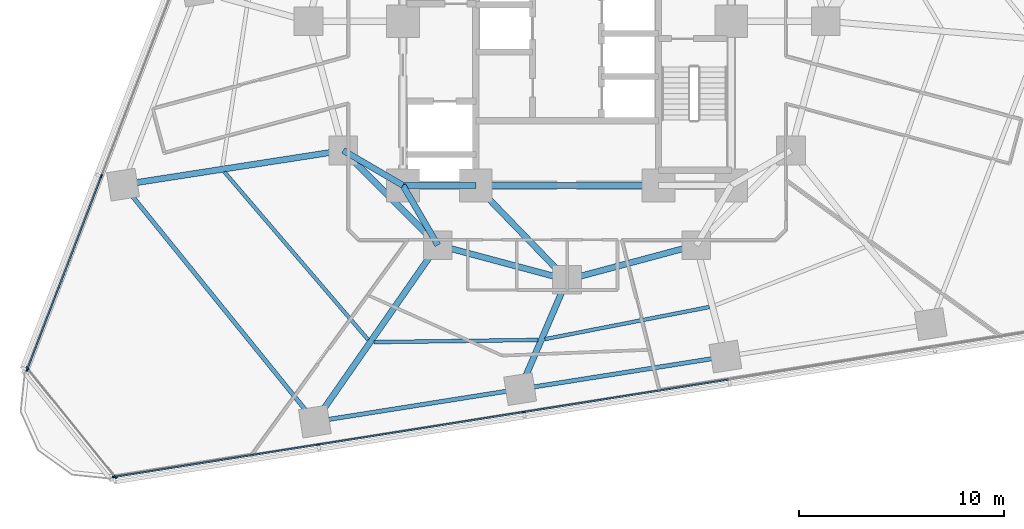
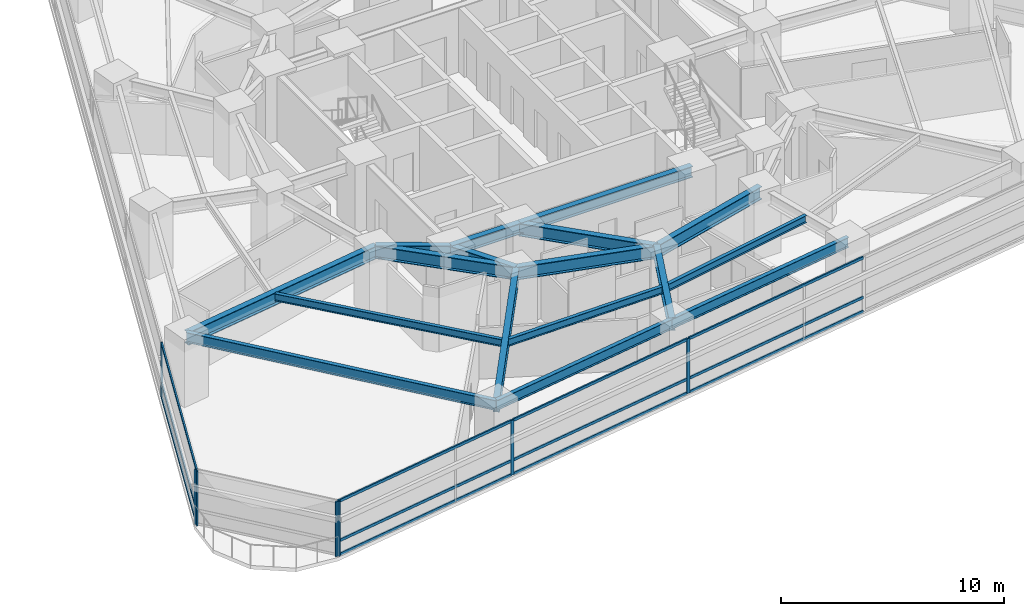
# One storey, part 2 of 13: 19 members, 17 beams, 3 elements without a shape of their own.
"""IFC4 building model written with IfcOpenShell, lengths in metres."""

from ifc_helpers import new_model, si_unit, direction, frame, origin, origin_2d, place, context, subcontext, project, spatial, rectangle, i_section, extrude, material, layer, layer_set, material_profile, profile_set, type_object, element, aggregate, save


model = new_model("IFC4")

# Units and contexts
model_context = context("Model", 3, precision=1e-05, world=origin(), true_north=direction((0.0, 1.0)))
body_context = subcontext(model_context, "Body", "Model", "MODEL_VIEW")
ifc_project = project(units=[si_unit("LENGTHUNIT", "METRE"), si_unit("AREAUNIT", "SQUARE_METRE"), si_unit("VOLUMEUNIT", "CUBIC_METRE"), si_unit("PLANEANGLEUNIT", "RADIAN"), si_unit("MASSUNIT", "GRAM", prefix="KILO")], contexts=[model_context])

# Site, building, storey
site_placement = place(None, origin())
site = spatial("IfcSite", under=ifc_project, at=site_placement, CompositionType="ELEMENT")
building_placement = place(site_placement, origin())
building = spatial("IfcBuilding", under=site, at=building_placement, Name="Terralouvre Media Tower", CompositionType="ELEMENT")
storey_placement = place(building_placement, frame((0.0, 0.0, 59.300048828125)))
storey = spatial("IfcBuildingStorey", under=building, at=storey_placement, Name="L14", CompositionType="ELEMENT", Elevation=59.300048828125)

# Beams
ifc_material_1 = material(Name="Structural steel S355J2", Category="steel")
ifc_material_profile_1 = material_profile(ifc_material_1, i_section(OverallWidth=0.179931640625, OverallDepth=0.39990234375, WebThickness=0.008544921875, FlangeThickness=0.013427734375, at=origin_2d()), Name="IPE 400")
ifc_profile_set_1 = profile_set([ifc_material_profile_1], Name="Structural steel S355J2")
beam_type_1 = type_object("IfcBeamType", Name="Composite Floor Joist J-IPE400 (IPE 400)", PredefinedType="JOIST", material=ifc_profile_set_1)
beam_1_placement = place(storey_placement, frame((-16.69921875, -7.3486328125, 3.300048828125), z_axis=(0.650576599138, -0.759440641955, 0.0), x_axis=(0.759440641955, 0.650576599138, 0.0)))
element("IfcBeam", 1, at=beam_1_placement, inside=storey, type_object=beam_type_1, Name="L14 Framing Beam JT-L14-01", PredefinedType="JOIST", context=body_context, shape_type="SweptSolid", body=[
    extrude(i_section(OverallWidth=0.179931640625, OverallDepth=0.39990234375, WebThickness=0.008544921875, FlangeThickness=0.013427734375, at=origin_2d()), origin(), (0.0, 0.0, 1.0), 10.766845703125),
])
beam_2_placement = place(storey_placement, frame((-9.41259765625, -15.63916015625, 3.300048828125), z_axis=(0.999910093881, 0.013409107136, 0.0), x_axis=(-0.013409107136, 0.999910093881, 0.0)))
element("IfcBeam", 2, at=beam_2_placement, inside=storey, type_object=beam_type_1, Name="L14 Framing Beam JT-L14-02", PredefinedType="JOIST", context=body_context, shape_type="SweptSolid", body=[
    extrude(i_section(OverallWidth=0.179931640625, OverallDepth=0.39990234375, WebThickness=0.008544921875, FlangeThickness=0.013427734375, at=origin_2d()), origin(), (0.0, 0.0, 1.0), 7.992919921875),
])
beam_3_placement = place(storey_placement, frame((-1.08203125, -15.495361328125, 3.300048828125), z_axis=(0.981397676367, 0.191985939127, 0.0), x_axis=(-0.191985939127, 0.981397676367, 0.0)))
element("IfcBeam", 3, at=beam_3_placement, inside=storey, type_object=beam_type_1, Name="L14 Framing Beam JT-L14-03", PredefinedType="JOIST", context=body_context, shape_type="SweptSolid", body=[
    extrude(i_section(OverallWidth=0.179931640625, OverallDepth=0.39990234375, WebThickness=0.008544921875, FlangeThickness=0.013427734375, at=origin_2d()), origin(), (0.0, 0.0, 1.0), 8.165283203125),
])

# Curtain wall, members
ifc_material_2 = material(Name="Low-iron laminated double glazing with solar-control coating", Category="glass")
ifc_layer_1 = layer(ifc_material_2, 0.1650390625, Name="Lower Media Tower Unitised Curtain Wall CW-02")
ifc_layer_set_1 = layer_set([ifc_layer_1], Name="Low-iron laminated double glazing with solar-control coating")
curtain_wall_type_1 = type_object("IfcCurtainWallType", Name="Lower Media Tower Unitised Curtain Wall CW-02", PredefinedType="NOTDEFINED", material=ifc_layer_set_1)
curtain_wall_1_placement = place(storey_placement, origin())
curtain_wall_1 = element("IfcCurtainWall", 4, at=curtain_wall_1_placement, inside=storey, type_object=curtain_wall_type_1, Name="L14 Facade Curtain Wall F0", PredefinedType="NOTDEFINED")
ifc_material_3 = material(Name="Anodised extruded aluminium 6063-T6", Category="aluminium")
ifc_material_profile_2 = material_profile(ifc_material_3, rectangle(XDim=0.074951171875, YDim=0.14990234375, at=origin_2d()), Name="ALU 75x150")
ifc_profile_set_2 = profile_set([ifc_material_profile_2], Name="Anodised extruded aluminium 6063-T6")
member_type_1 = type_object("IfcMemberType", Name="Curtain-Wall Horizontal Transom TR-150", PredefinedType="USERDEFINED", material=ifc_profile_set_2)
member_1_placement = place(storey_placement, frame((-22.04345703125, -22.2001953125, 0.037353515625), z_axis=(0.987689925264, 0.15642445951, 0.0), x_axis=(-0.15642445951, 0.987689925264, 0.0)))
member_1 = element("IfcMember", 5, at=member_1_placement, type_object=member_type_1, Name="CW-02 transom 1.1", ObjectType="TRANSOM", PredefinedType="USERDEFINED", context=body_context, shape_type="SweptSolid", body=[
    extrude(rectangle(XDim=0.074951171875, YDim=0.14990234375, at=origin_2d()), origin(), (0.0, 0.0, 1.0), 10.015380859375),
])
member_2_placement = place(storey_placement, frame((-22.04345703125, -22.2001953125, 0.800048828125), z_axis=(0.987689925264, 0.15642445951, 0.0), x_axis=(-0.15642445951, 0.987689925264, 0.0)))
member_2 = element("IfcMember", 6, at=member_2_placement, type_object=member_type_1, Name="CW-02 transom 1.2", ObjectType="TRANSOM", PredefinedType="USERDEFINED", context=body_context, shape_type="SweptSolid", body=[
    extrude(rectangle(XDim=0.074951171875, YDim=0.14990234375, at=origin_2d()), origin(), (0.0, 0.0, 1.0), 10.015380859375),
])
member_3_placement = place(storey_placement, frame((-22.04345703125, -22.2001953125, 2.96240234375), z_axis=(0.987689925264, 0.15642445951, 0.0), x_axis=(-0.15642445951, 0.987689925264, 0.0)))
member_3 = element("IfcMember", 7, at=member_3_placement, type_object=member_type_1, Name="CW-02 transom 1.3", ObjectType="TRANSOM", PredefinedType="USERDEFINED", context=body_context, shape_type="SweptSolid", body=[
    extrude(rectangle(XDim=0.074951171875, YDim=0.14990234375, at=origin_2d()), origin(), (0.0, 0.0, 1.0), 10.015380859375),
])
member_4_placement = place(storey_placement, frame((-12.0771484375, -20.62158203125, 0.037353515625), z_axis=(0.987690198625, 0.156422733448, 0.0), x_axis=(-0.156422733448, 0.987690198625, 0.0)))
member_4 = element("IfcMember", 8, at=member_4_placement, type_object=member_type_1, Name="CW-02 transom 2.1", ObjectType="TRANSOM", PredefinedType="USERDEFINED", context=body_context, shape_type="SweptSolid", body=[
    extrude(rectangle(XDim=0.074951171875, YDim=0.14990234375, at=origin_2d()), origin(), (0.0, 0.0, 1.0), 10.052978515625),
])
member_5_placement = place(storey_placement, frame((-12.0771484375, -20.62158203125, 0.800048828125), z_axis=(0.987690198625, 0.156422733448, 0.0), x_axis=(-0.156422733448, 0.987690198625, 0.0)))
member_5 = element("IfcMember", 9, at=member_5_placement, type_object=member_type_1, Name="CW-02 transom 2.2", ObjectType="TRANSOM", PredefinedType="USERDEFINED", context=body_context, shape_type="SweptSolid", body=[
    extrude(rectangle(XDim=0.074951171875, YDim=0.14990234375, at=origin_2d()), origin(), (0.0, 0.0, 1.0), 10.052978515625),
])
member_6_placement = place(storey_placement, frame((-12.0771484375, -20.62158203125, 2.96240234375), z_axis=(0.987690198625, 0.156422733448, 0.0), x_axis=(-0.156422733448, 0.987690198625, 0.0)))
member_6 = element("IfcMember", 10, at=member_6_placement, type_object=member_type_1, Name="CW-02 transom 2.3", ObjectType="TRANSOM", PredefinedType="USERDEFINED", context=body_context, shape_type="SweptSolid", body=[
    extrude(rectangle(XDim=0.074951171875, YDim=0.14990234375, at=origin_2d()), origin(), (0.0, 0.0, 1.0), 10.052978515625),
])
member_7_placement = place(storey_placement, frame((-2.073974609375, -19.037353515625, 0.037353515625), z_axis=(0.987686446318, 0.156446424568, 0.0), x_axis=(-0.156446424568, 0.987686446318, 0.0)))
member_7 = element("IfcMember", 11, at=member_7_placement, type_object=member_type_1, Name="CW-02 transom 3.1", ObjectType="TRANSOM", PredefinedType="USERDEFINED", context=body_context, shape_type="SweptSolid", body=[
    extrude(rectangle(XDim=0.074951171875, YDim=0.14990234375, at=origin_2d()), origin(), (0.0, 0.0, 1.0), 10.052978515625),
])
member_8_placement = place(storey_placement, frame((-2.073974609375, -19.037353515625, 0.800048828125), z_axis=(0.987686446318, 0.156446424568, 0.0), x_axis=(-0.156446424568, 0.987686446318, 0.0)))
member_8 = element("IfcMember", 12, at=member_8_placement, type_object=member_type_1, Name="CW-02 transom 3.2", ObjectType="TRANSOM", PredefinedType="USERDEFINED", context=body_context, shape_type="SweptSolid", body=[
    extrude(rectangle(XDim=0.074951171875, YDim=0.14990234375, at=origin_2d()), origin(), (0.0, 0.0, 1.0), 10.052978515625),
])
member_9_placement = place(storey_placement, frame((-2.073974609375, -19.037353515625, 2.96240234375), z_axis=(0.987686446318, 0.156446424568, 0.0), x_axis=(-0.156446424568, 0.987686446318, 0.0)))
member_9 = element("IfcMember", 13, at=member_9_placement, type_object=member_type_1, Name="CW-02 transom 3.3", ObjectType="TRANSOM", PredefinedType="USERDEFINED", context=body_context, shape_type="SweptSolid", body=[
    extrude(rectangle(XDim=0.074951171875, YDim=0.14990234375, at=origin_2d()), origin(), (0.0, 0.0, 1.0), 10.052978515625),
])

curtain_wall_2_placement = place(storey_placement, origin())
curtain_wall_2 = element("IfcCurtainWall", 14, at=curtain_wall_2_placement, inside=storey, type_object=curtain_wall_type_1, Name="L14 Facade Curtain Wall F2", PredefinedType="NOTDEFINED")
member_10_placement = place(storey_placement, frame((-22.708984375, -7.595947265625, 0.037353515625), z_axis=(-0.358363173116, -0.933582259983, 0.0), x_axis=(0.933582259983, -0.358363173116, 0.0)))
member_10 = element("IfcMember", 15, at=member_10_placement, type_object=member_type_1, Name="CW-02 transom 5.1", ObjectType="TRANSOM", PredefinedType="USERDEFINED", context=body_context, shape_type="SweptSolid", body=[
    extrude(rectangle(XDim=0.074951171875, YDim=0.14990234375, at=origin_2d()), origin(), (0.0, 0.0, 1.0), 10.015380859375),
])
member_11_placement = place(storey_placement, frame((-22.708984375, -7.595947265625, 0.800048828125), z_axis=(-0.358363173116, -0.933582259983, 0.0), x_axis=(0.933582259983, -0.358363173116, 0.0)))
member_11 = element("IfcMember", 16, at=member_11_placement, type_object=member_type_1, Name="CW-02 transom 5.2", ObjectType="TRANSOM", PredefinedType="USERDEFINED", context=body_context, shape_type="SweptSolid", body=[
    extrude(rectangle(XDim=0.074951171875, YDim=0.14990234375, at=origin_2d()), origin(), (0.0, 0.0, 1.0), 10.015380859375),
])
member_12_placement = place(storey_placement, frame((-22.708984375, -7.595947265625, 2.96240234375), z_axis=(-0.358363173116, -0.933582259983, 0.0), x_axis=(0.933582259983, -0.358363173116, 0.0)))
member_12 = element("IfcMember", 17, at=member_12_placement, type_object=member_type_1, Name="CW-02 transom 5.3", ObjectType="TRANSOM", PredefinedType="USERDEFINED", context=body_context, shape_type="SweptSolid", body=[
    extrude(rectangle(XDim=0.074951171875, YDim=0.14990234375, at=origin_2d()), origin(), (0.0, 0.0, 1.0), 10.015380859375),
])

# Member
ifc_material_4 = material(Name="Anodised extruded aluminium 6063-T6", Category="aluminium")
ifc_material_profile_3 = material_profile(ifc_material_4, rectangle(XDim=0.074951171875, YDim=0.179931640625, at=origin_2d()), Name="ALU 75x180")
ifc_profile_set_3 = profile_set([ifc_material_profile_3], Name="Anodised extruded aluminium 6063-T6")
member_type_2 = type_object("IfcMemberType", Name="Curtain-Wall Vertical Mullion ML-180", PredefinedType="MULLION", material=ifc_profile_set_3)
member_13_placement = place(storey_placement, frame((-22.08056640625, -22.2060546875, 0.0), z_axis=(0.0, 0.0, 1.0), x_axis=(-0.156434462903, 0.987688340934, 0.0)))
member_13 = element("IfcMember", 18, at=member_13_placement, type_object=member_type_2, Name="CW-02 mullion 1", PredefinedType="MULLION", context=body_context, shape_type="SweptSolid", body=[
    extrude(rectangle(XDim=0.074951171875, YDim=0.179931640625, at=origin_2d()), origin(), (0.0, 0.0, 1.0), 3.0),
])

member_14_placement = place(storey_placement, frame((-12.1142578125, -20.62744140625, 0.0), z_axis=(0.0, 0.0, 1.0), x_axis=(-0.156434462903, 0.987688340934, 0.0)))
member_14 = element("IfcMember", 19, at=member_14_placement, type_object=member_type_2, Name="CW-02 mullion 2", PredefinedType="MULLION", context=body_context, shape_type="SweptSolid", body=[
    extrude(rectangle(XDim=0.074951171875, YDim=0.179931640625, at=origin_2d()), origin(), (0.0, 0.0, 1.0), 3.0),
])

member_15_placement = place(storey_placement, frame((-2.111083984375, -19.043212890625, 0.0), z_axis=(0.0, 0.0, 1.0), x_axis=(-0.156434462903, 0.987688340934, 0.0)))
member_15 = element("IfcMember", 20, at=member_15_placement, type_object=member_type_2, Name="CW-02 mullion 3", PredefinedType="MULLION", context=body_context, shape_type="SweptSolid", body=[
    extrude(rectangle(XDim=0.074951171875, YDim=0.179931640625, at=origin_2d()), origin(), (0.0, 0.0, 1.0), 3.0),
])

aggregate(curtain_wall_1, [member_13, member_14, member_15, member_1, member_2, member_3, member_4, member_5, member_6, member_7, member_8, member_9])

member_16_placement = place(storey_placement, frame((-22.695556640625, -7.560791015625, 0.0), z_axis=(0.0, 0.0, 1.0), x_axis=(0.933580438988, -0.358367917006, 0.0)))
member_16 = element("IfcMember", 21, at=member_16_placement, type_object=member_type_2, Name="CW-02 mullion 5", PredefinedType="MULLION", context=body_context, shape_type="SweptSolid", body=[
    extrude(rectangle(XDim=0.074951171875, YDim=0.179931640625, at=origin_2d()), origin(), (0.0, 0.0, 1.0), 3.0),
])

member_17_placement = place(storey_placement, frame((-26.3115234375, -16.981201171875, 0.0), z_axis=(0.0, 0.0, 1.0), x_axis=(0.933580438988, -0.358367917006, 0.0)))
member_17 = element("IfcMember", 22, at=member_17_placement, type_object=member_type_2, Name="CW-02 mullion 6", PredefinedType="MULLION", context=body_context, shape_type="SweptSolid", body=[
    extrude(rectangle(XDim=0.074951171875, YDim=0.179931640625, at=origin_2d()), origin(), (0.0, 0.0, 1.0), 3.0),
])

aggregate(curtain_wall_2, [member_16, member_17, member_10, member_11, member_12])

# Curtain wall, members
ifc_material_5 = material(Name="Low-iron laminated double glazing with solar-control coating", Category="glass")
ifc_layer_2 = layer(ifc_material_5, 0.1650390625, Name="Rounded Wind-Corner Curved Glazing CW-04")
ifc_layer_set_2 = layer_set([ifc_layer_2], Name="Low-iron laminated double glazing with solar-control coating")
curtain_wall_type_2 = type_object("IfcCurtainWallType", Name="Rounded Wind-Corner Curved Glazing CW-04", PredefinedType="NOTDEFINED", material=ifc_layer_set_2)
curtain_wall_3_placement = place(storey_placement, origin())
curtain_wall_3 = element("IfcCurtainWall", 23, at=curtain_wall_3_placement, inside=storey, type_object=curtain_wall_type_2, Name="L14 Rounded Wind-Corner Curtain Wall C0", PredefinedType="NOTDEFINED")
member_18_placement = place(storey_placement, frame((-26.3046875, -16.9140625, 0.0), z_axis=(0.0, 0.0, 1.0), x_axis=(0.777146252262, 0.629320031936, 0.0)))
member_18 = element("IfcMember", 24, at=member_18_placement, type_object=member_type_2, Name="CW-04 mullion 1", PredefinedType="MULLION", context=body_context, shape_type="SweptSolid", body=[
    extrude(rectangle(XDim=0.074951171875, YDim=0.179931640625, at=origin_2d()), origin(), (0.0, 0.0, 1.0), 3.0),
])
member_19_placement = place(storey_placement, frame((-22.013671875, -22.213134765625, 0.0), z_axis=(0.0, 0.0, 1.0), x_axis=(0.777146252262, 0.629320031936, 0.0)))
member_19 = element("IfcMember", 25, at=member_19_placement, type_object=member_type_2, Name="CW-04 mullion 2", PredefinedType="MULLION", context=body_context, shape_type="SweptSolid", body=[
    extrude(rectangle(XDim=0.074951171875, YDim=0.179931640625, at=origin_2d()), origin(), (0.0, 0.0, 1.0), 3.0),
])
aggregate(curtain_wall_3, [member_18, member_19])

# Beams
ifc_material_6 = material(Name="Structural steel S355J2", Category="steel")
ifc_material_profile_4 = material_profile(ifc_material_6, i_section(OverallWidth=0.2099609375, OverallDepth=0.550048828125, WebThickness=0.010986328125, FlangeThickness=0.01708984375, at=origin_2d()), Name="IPE 550")
ifc_profile_set_4 = profile_set([ifc_material_profile_4], Name="Structural steel S355J2")
beam_type_2 = type_object("IfcBeamType", Name="Perimeter Spandrel Beam SPB-550 (IPE 550)", PredefinedType="SPANDREL", material=ifc_profile_set_4)
beam_4_placement = place(storey_placement, frame((-21.640625, -7.9658203125, 3.224853515625), z_axis=(0.629325386112, -0.777141916509, 0.0), x_axis=(0.777141916509, 0.629325386112, 0.0)))
element("IfcBeam", 26, at=beam_4_placement, inside=storey, type_object=beam_type_2, Name="L14 Framing Beam BM-L14-PR01", PredefinedType="SPANDREL", context=body_context, shape_type="SweptSolid", body=[
    extrude(i_section(OverallWidth=0.2099609375, OverallDepth=0.550048828125, WebThickness=0.010986328125, FlangeThickness=0.01708984375, at=origin_2d()), origin(), (0.0, 0.0, 1.0), 14.8564453125),
])
beam_5_placement = place(storey_placement, frame((-12.291015625, -19.511474609375, 3.224853515625), z_axis=(0.987686424887, 0.156446559869, 0.0), x_axis=(-0.156446559869, 0.987686424887, 0.0)))
element("IfcBeam", 27, at=beam_5_placement, inside=storey, type_object=beam_type_2, Name="L14 Framing Beam BM-L14-PR02", PredefinedType="SPANDREL", context=body_context, shape_type="SweptSolid", body=[
    extrude(i_section(OverallWidth=0.2099609375, OverallDepth=0.550048828125, WebThickness=0.010986328125, FlangeThickness=0.01708984375, at=origin_2d()), origin(), (0.0, 0.0, 1.0), 10.1279296875),
])
beam_6_placement = place(storey_placement, frame((-2.287841796875, -17.927001953125, 3.224853515625), z_axis=(0.987690739256, 0.15641931974, 0.0), x_axis=(-0.15641931974, 0.987690739256, 0.0)))
element("IfcBeam", 28, at=beam_6_placement, inside=storey, type_object=beam_type_2, Name="L14 Framing Beam BM-L14-PR03", PredefinedType="SPANDREL", context=body_context, shape_type="SweptSolid", body=[
    extrude(i_section(OverallWidth=0.2099609375, OverallDepth=0.550048828125, WebThickness=0.010986328125, FlangeThickness=0.01708984375, at=origin_2d()), origin(), (0.0, 0.0, 1.0), 10.128173828125),
])
ifc_material_7 = material(Name="Structural steel S460M", Category="steel")
ifc_material_profile_5 = material_profile(ifc_material_7, i_section(OverallWidth=0.300048828125, OverallDepth=0.60009765625, WebThickness=0.015380859375, FlangeThickness=0.030029296875, at=origin_2d()), Name="HEB 600")
ifc_profile_set_5 = profile_set([ifc_material_profile_5], Name="Structural steel S460M")
beam_type_3 = type_object("IfcBeamType", Name="Primary Floor Girder B-HEB600 (HEB 600)", PredefinedType="BEAM", material=ifc_profile_set_5)
beam_7_placement = place(storey_placement, frame((-8.0, -8.0, 3.199951171875), z_axis=(1.0, 0.0, 0.0), x_axis=(0.0, 1.0, 0.0)))
element("IfcBeam", 29, at=beam_7_placement, inside=storey, type_object=beam_type_3, Name="L14 Framing Beam BM-L14-CPR01", PredefinedType="BEAM", context=body_context, shape_type="SweptSolid", body=[
    extrude(i_section(OverallWidth=0.300048828125, OverallDepth=0.60009765625, WebThickness=0.015380859375, FlangeThickness=0.030029296875, at=origin_2d()), origin(), (0.0, 0.0, 1.0), 3.550048828125),
])
beam_8_placement = place(storey_placement, frame((-4.449951171875, -8.0, 3.199951171875), z_axis=(1.0, 0.0, 0.0), x_axis=(0.0, 1.0, 0.0)))
element("IfcBeam", 30, at=beam_8_placement, inside=storey, type_object=beam_type_3, Name="L14 Framing Beam BM-L14-CPR02", PredefinedType="BEAM", context=body_context, shape_type="SweptSolid", body=[
    extrude(i_section(OverallWidth=0.300048828125, OverallDepth=0.60009765625, WebThickness=0.015380859375, FlangeThickness=0.030029296875, at=origin_2d()), origin(), (0.0, 0.0, 1.0), 8.89990234375),
])
ifc_material_8 = material(Name="Structural steel S460M", Category="steel")
ifc_material_profile_6 = material_profile(ifc_material_8, i_section(OverallWidth=0.300048828125, OverallDepth=0.699951171875, WebThickness=0.01708984375, FlangeThickness=0.031982421875, at=origin_2d()), Name="HEB 700")
ifc_profile_set_6 = profile_set([ifc_material_profile_6], Name="Structural steel S460M")
beam_type_4 = type_object("IfcBeamType", Name="Primary Floor Girder B-HEB700 (HEB 700)", PredefinedType="BEAM", material=ifc_profile_set_6)
beam_9_placement = place(storey_placement, frame((-10.911865234375, -6.300048828125, 3.14990234375), z_axis=(0.707106781187, -0.707106781187, 0.0), x_axis=(0.707106781187, 0.707106781187, 0.0)))
element("IfcBeam", 31, at=beam_9_placement, inside=storey, type_object=beam_type_4, Name="L14 Framing Beam BM-L14-MR01", PredefinedType="BEAM", context=body_context, shape_type="SweptSolid", body=[
    extrude(i_section(OverallWidth=0.300048828125, OverallDepth=0.699951171875, WebThickness=0.01708984375, FlangeThickness=0.031982421875, at=origin_2d()), origin(), (0.0, 0.0, 1.0), 6.52197265625),
])
for number, where, z_axis, x_axis, name in (
    (32, (-6.300048828125, -10.911865234375, 3.14990234375), (0.965920481897, -0.258838989821, 0.0), (0.258838989821, 0.965920481897, 0.0), "L14 Framing Beam BM-L14-MR02"),
    (33, (0.0, -12.60009765625, 3.14990234375), (0.965920481897, 0.258838989821, 0.0), (-0.258838989821, 0.965920481897, 0.0), "L14 Framing Beam BM-L14-MR03"),
):
    element("IfcBeam", number, at=place(storey_placement, frame(where, z_axis=z_axis, x_axis=x_axis)), inside=storey, type_object=beam_type_4, Name=name, PredefinedType="BEAM", context=body_context, shape_type="SweptSolid", body=[
        extrude(i_section(OverallWidth=0.300048828125, OverallDepth=0.699951171875, WebThickness=0.01708984375, FlangeThickness=0.031982421875, at=origin_2d()), origin(), (0.0, 0.0, 1.0), 6.522216796875),
    ])
for number, where, z_axis, x_axis, name in (
    (34, (-8.0, -8.0, 3.14990234375), (-0.863602894532, 0.504172629717, 0.0), (-0.504172629717, -0.863602894532, 0.0), "L14 Framing Beam BM-L14-CM01"),
    (35, (-8.0, -8.0, 3.14990234375), (0.504172629717, -0.863602894532, 0.0), (0.863602894532, 0.504172629717, 0.0), "L14 Framing Beam BM-L14-CM02"),
):
    element("IfcBeam", number, at=place(storey_placement, frame(where, z_axis=z_axis, x_axis=x_axis)), inside=storey, type_object=beam_type_4, Name=name, PredefinedType="BEAM", context=body_context, shape_type="SweptSolid", body=[
        extrude(i_section(OverallWidth=0.300048828125, OverallDepth=0.699951171875, WebThickness=0.01708984375, FlangeThickness=0.031982421875, at=origin_2d()), origin(), (0.0, 0.0, 1.0), 3.371826171875),
    ])
beam_10_placement = place(storey_placement, frame((-4.449951171875, -8.0, 3.14990234375), z_axis=(0.695279715726, -0.718739255155, 0.0), x_axis=(0.718739255155, 0.695279715726, 0.0)))
element("IfcBeam", 36, at=beam_10_placement, inside=storey, type_object=beam_type_4, Name="L14 Framing Beam BM-L14-CM03", PredefinedType="BEAM", context=body_context, shape_type="SweptSolid", body=[
    extrude(i_section(OverallWidth=0.300048828125, OverallDepth=0.699951171875, WebThickness=0.01708984375, FlangeThickness=0.031982421875, at=origin_2d()), origin(), (0.0, 0.0, 1.0), 6.400146484375),
])
beam_11_placement = place(storey_placement, frame((-10.911865234375, -6.300048828125, 3.14990234375), z_axis=(-0.98816044694, -0.153424023881, 0.0), x_axis=(0.153424023881, -0.98816044694, 0.0)))
element("IfcBeam", 37, at=beam_11_placement, inside=storey, type_object=beam_type_4, Name="L14 Framing Beam BM-L14-RD01", PredefinedType="BEAM", context=body_context, shape_type="SweptSolid", body=[
    extrude(i_section(OverallWidth=0.300048828125, OverallDepth=0.699951171875, WebThickness=0.01708984375, FlangeThickness=0.031982421875, at=origin_2d()), origin(), (0.0, 0.0, 1.0), 10.857421875),
])
beam_12_placement = place(storey_placement, frame((-6.300048828125, -10.911865234375, 3.14990234375), z_axis=(-0.571619237268, -0.820519011105, 0.0), x_axis=(0.820519011105, -0.571619237268, 0.0)))
element("IfcBeam", 38, at=beam_12_placement, inside=storey, type_object=beam_type_4, Name="L14 Framing Beam BM-L14-RD02", PredefinedType="BEAM", context=body_context, shape_type="SweptSolid", body=[
    extrude(i_section(OverallWidth=0.300048828125, OverallDepth=0.699951171875, WebThickness=0.01708984375, FlangeThickness=0.031982421875, at=origin_2d()), origin(), (0.0, 0.0, 1.0), 10.480712890625),
])
beam_13_placement = place(storey_placement, frame((0.0, -12.60009765625, 3.14990234375), z_axis=(-0.394630726641, -0.918839806272, 0.0), x_axis=(0.918839806272, -0.394630726641, 0.0)))
element("IfcBeam", 39, at=beam_13_placement, inside=storey, type_object=beam_type_4, Name="L14 Framing Beam BM-L14-RD03", PredefinedType="BEAM", context=body_context, shape_type="SweptSolid", body=[
    extrude(i_section(OverallWidth=0.300048828125, OverallDepth=0.699951171875, WebThickness=0.01708984375, FlangeThickness=0.031982421875, at=origin_2d()), origin(), (0.0, 0.0, 1.0), 5.79736328125),
])

save(model, "model.ifc")
